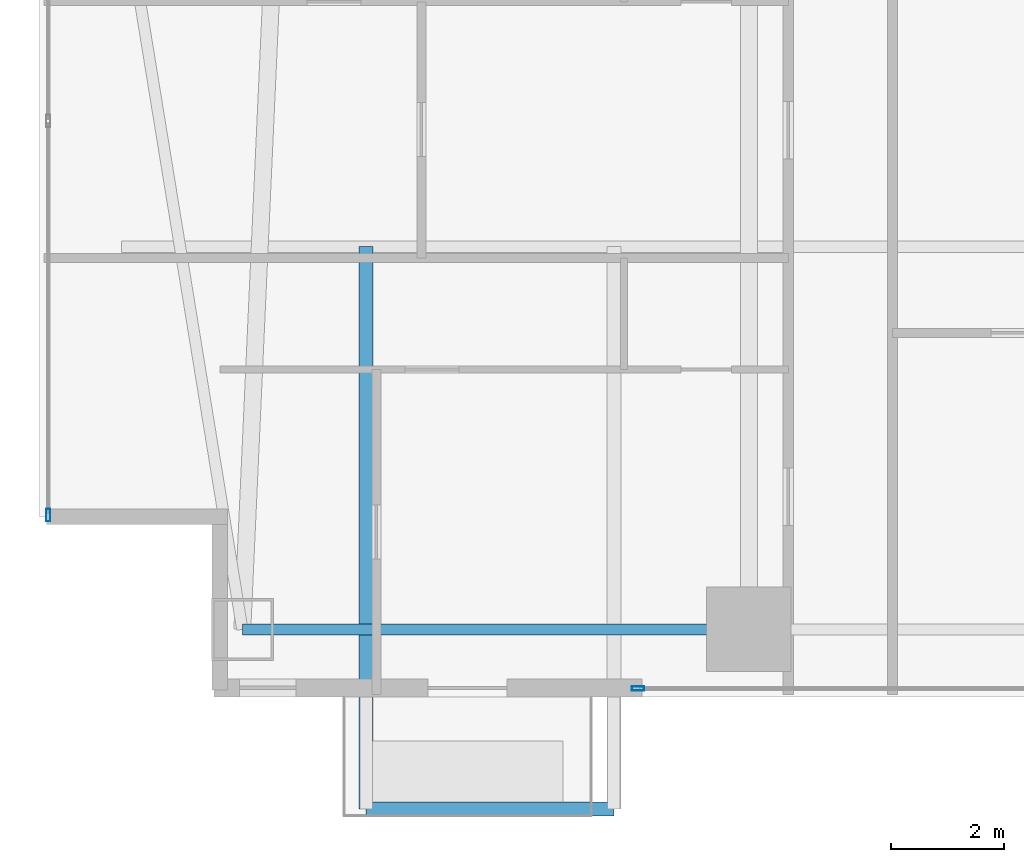
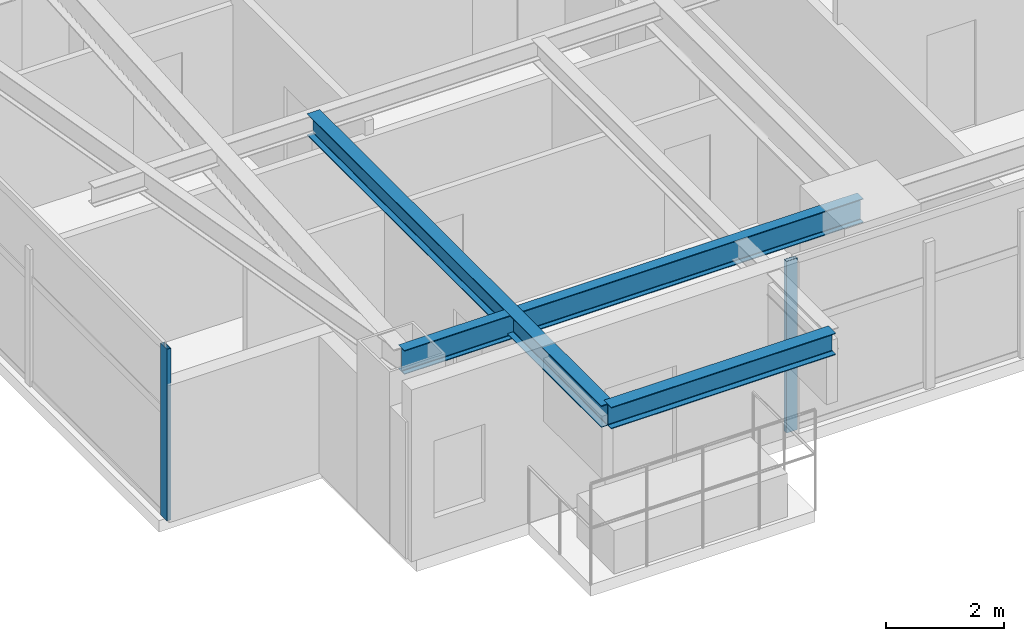
# One storey, part 2 of 30: 3 beams, 2 members, 2 elements without a shape of their own.
"""IFC4 building model written with IfcOpenShell, lengths in metres."""

from ifc_helpers import new_model, si_unit, direction, frame, origin, origin_2d, place, context, subcontext, project, spatial, hollow_rectangle, i_section, extrude, material, layer, layer_set, material_profile, profile_set, type_object, element, aggregate, save


model = new_model("IFC4")

# Units and contexts
model_context = context("Model", 3, precision=1e-05, world=origin(), true_north=direction((0.0, 1.0)))
body_context = subcontext(model_context, "Body", "Model", "MODEL_VIEW")
ifc_project = project(units=[si_unit("LENGTHUNIT", "METRE"), si_unit("AREAUNIT", "SQUARE_METRE"), si_unit("VOLUMEUNIT", "CUBIC_METRE"), si_unit("PLANEANGLEUNIT", "RADIAN"), si_unit("MASSUNIT", "GRAM", prefix="KILO")], contexts=[model_context])

# Site, building, storey
site_placement = place(None, origin())
site = spatial("IfcSite", under=ifc_project, at=site_placement, CompositionType="ELEMENT")
building_placement = place(site_placement, origin())
building = spatial("IfcBuilding", under=site, at=building_placement, Name="Calvorn Quay Hotel", CompositionType="ELEMENT")
storey_placement = place(building_placement, frame((0.0, 0.0, 77.39990234375)))
storey = spatial("IfcBuildingStorey", under=building, at=storey_placement, Name="L18", CompositionType="ELEMENT", Elevation=77.39990234375)

# Beams
ifc_material_1 = material(Name="Steel Q355B", Category="steel")
ifc_material_profile_1 = material_profile(ifc_material_1, i_section(OverallWidth=0.25, OverallDepth=0.449951171875, WebThickness=0.011962890625, FlangeThickness=0.01611328125, FilletRadius=0.01611328125, at=origin_2d()), Name="HN450x250x12x16")
ifc_profile_set_1 = profile_set([ifc_material_profile_1], Name="Steel Q355B")
beam_type_1 = type_object("IfcBeamType", Name="BM-CANT-BALC", PredefinedType="BEAM", material=ifc_profile_set_1)
beam_1_placement = place(storey_placement, frame((5.800048828125, 10.39990234375, 3.315185546875), z_axis=(0.0, -1.0, 0.0), x_axis=(1.0, 0.0, 0.0)))
element("IfcBeam", 1, at=beam_1_placement, inside=storey, type_object=beam_type_1, Name="Cantilever Balcony Beam BCB-L19-2A", PredefinedType="BEAM", context=body_context, shape_type="SweptSolid", body=[
    extrude(i_section(OverallWidth=0.25, OverallDepth=0.449951171875, WebThickness=0.011962890625, FlangeThickness=0.01611328125, FilletRadius=0.01611328125, at=origin_2d()), origin(), (0.0, 0.0, 1.0), 9.989990234375),
])
beam_2_placement = place(storey_placement, frame((5.800048828125, 0.409912109375, 3.315185546875), z_axis=(1.0, 0.0, 0.0), x_axis=(0.0, 1.0, 0.0)))
element("IfcBeam", 2, at=beam_2_placement, inside=storey, type_object=beam_type_1, Name="Beam BCBO-L19-2", PredefinedType="BEAM", context=body_context, shape_type="SweptSolid", body=[
    extrude(i_section(OverallWidth=0.25, OverallDepth=0.449951171875, WebThickness=0.011962890625, FlangeThickness=0.01611328125, FilletRadius=0.01611328125, at=origin_2d()), origin(), (0.0, 0.0, 1.0), 4.39990234375),
])
ifc_material_2 = material(Name="Steel Q355B", Category="steel")
ifc_material_profile_2 = material_profile(ifc_material_2, i_section(OverallWidth=0.199951171875, OverallDepth=0.5, WebThickness=0.010009765625, FlangeThickness=0.01611328125, FilletRadius=0.01611328125, at=origin_2d()), Name="HN500x200x10x16")
ifc_profile_set_2 = profile_set([ifc_material_profile_2], Name="Steel Q355B")
beam_type_2 = type_object("IfcBeamType", Name="BM-SPANDREL-Z1", PredefinedType="SPANDREL", material=ifc_profile_set_2)
beam_3_placement = place(storey_placement, frame((3.60009765625, 3.60009765625, 3.2900390625), z_axis=(1.0, 0.0, 0.0), x_axis=(0.0, 1.0, 0.0)))
element("IfcBeam", 3, at=beam_3_placement, inside=storey, type_object=beam_type_2, Name="Beam BSP-L18-S1", PredefinedType="SPANDREL", context=body_context, shape_type="SweptSolid", body=[
    extrude(i_section(OverallWidth=0.199951171875, OverallDepth=0.5, WebThickness=0.010009765625, FlangeThickness=0.01611328125, FilletRadius=0.01611328125, at=origin_2d()), origin(), (0.0, 0.0, 1.0), 9.0),
])

# Curtain wall, member
ifc_material_3 = material(Name="Pale Anodised Aluminium and Low-E Glass", Category="aluminium")
ifc_layer = layer(ifc_material_3, 0.219970703125)
ifc_layer_set = layer_set([ifc_layer], Name="CW-SYS-Z1")
curtain_wall_type = type_object("IfcCurtainWallType", Name="CW-SYS-Z1", PredefinedType="NOTDEFINED", material=ifc_layer_set)
curtain_wall_1_placement = place(storey_placement, origin())
curtain_wall_1 = element("IfcCurtainWall", 4, at=curtain_wall_1_placement, inside=storey, type_object=curtain_wall_type, Name="Tower West Curtain Wall (L18)", PredefinedType="NOTDEFINED")
ifc_material_4 = material(Name="Pale Anodised Aluminium 6063-T6", Category="aluminium")
ifc_material_profile_3 = material_profile(ifc_material_4, hollow_rectangle(XDim=0.074951171875, YDim=0.219970703125, WallThickness=0.00439453125, at=origin_2d()), Name="ALU-M220x75x4.5")
ifc_profile_set_3 = profile_set([ifc_material_profile_3], Name="Pale Anodised Aluminium 6063-T6")
member_type = type_object("IfcMemberType", Name="CW-SYS-Z1-MUL", PredefinedType="MULLION", material=ifc_profile_set_3)
member_1_placement = place(storey_placement, frame((0.14990234375, 5.6298828125, 0.0), z_axis=(0.0, 0.0, 1.0), x_axis=(-1.0, 0.0, 0.0)))
member_1 = element("IfcMember", 5, at=member_1_placement, type_object=member_type, Name="CW-L18-W mullion 1", PredefinedType="MULLION", context=body_context, shape_type="SweptSolid", body=[
    extrude(hollow_rectangle(XDim=0.074951171875, YDim=0.219970703125, WallThickness=0.00439453125, at=origin_2d()), origin(), (0.0, 0.0, 1.0), 3.56005859375),
])
aggregate(curtain_wall_1, [member_1])

curtain_wall_2_placement = place(storey_placement, origin())
curtain_wall_2 = element("IfcCurtainWall", 6, at=curtain_wall_2_placement, inside=storey, type_object=curtain_wall_type, Name="Tower South Waterfront Curtain Wall (L18)", PredefinedType="NOTDEFINED")
member_2_placement = place(storey_placement, frame((10.6298828125, 2.550048828125, 0.0), z_axis=(0.0, 0.0, 1.0), x_axis=(0.0, 1.0, 0.0)))
member_2 = element("IfcMember", 7, at=member_2_placement, type_object=member_type, Name="CW-L18-S mullion 1", PredefinedType="MULLION", context=body_context, shape_type="SweptSolid", body=[
    extrude(hollow_rectangle(XDim=0.074951171875, YDim=0.219970703125, WallThickness=0.00439453125, at=origin_2d()), origin(), (0.0, 0.0, 1.0), 3.56005859375),
])
aggregate(curtain_wall_2, [member_2])

save(model, "model.ifc")
